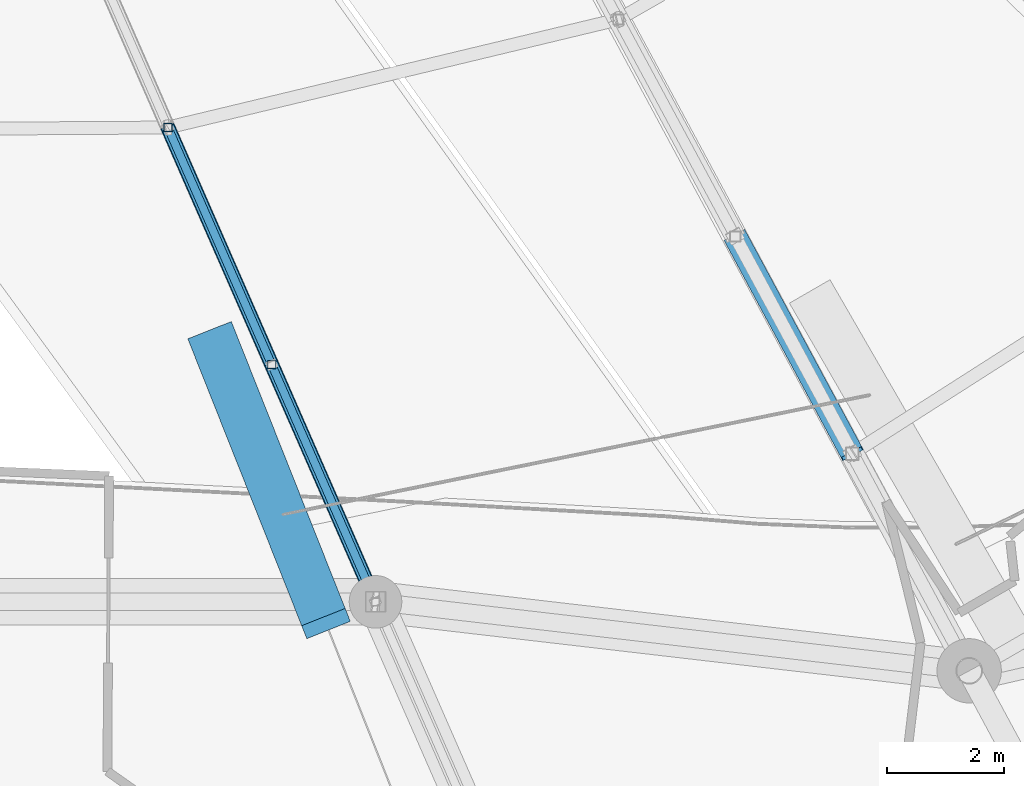
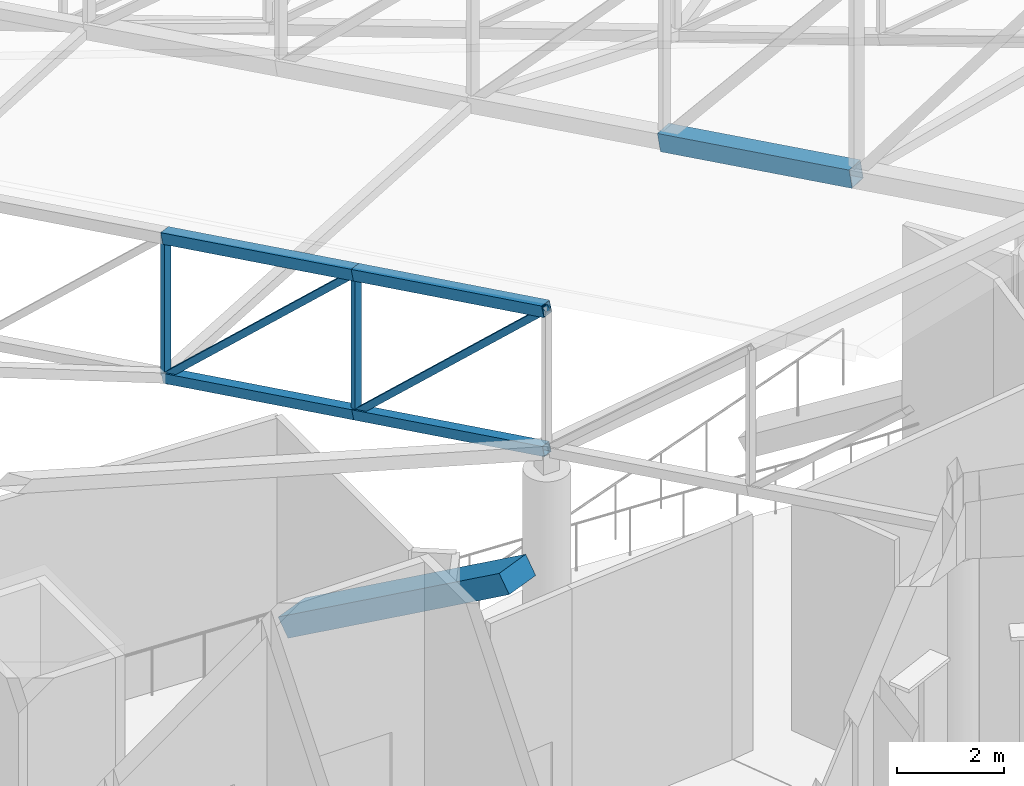
# One storey, part 71 of 344: 9 members, 1 beam.
"""IFC4 building model written with IfcOpenShell, lengths in metres."""

from ifc_helpers import new_model, si_unit, direction, frame, origin, origin_2d, place, context, subcontext, project, spatial, rectangle, hollow_rectangle, extrude, material, material_profile, profile_set, type_object, element, save


model = new_model("IFC4")

# Units and contexts
model_context = context("Model", 3, precision=1e-05, world=origin(), true_north=direction((0.0, 1.0)))
body_context = subcontext(model_context, "Body", "Model", "MODEL_VIEW")
ifc_project = project(units=[si_unit("LENGTHUNIT", "METRE"), si_unit("AREAUNIT", "SQUARE_METRE"), si_unit("VOLUMEUNIT", "CUBIC_METRE"), si_unit("PLANEANGLEUNIT", "RADIAN"), si_unit("MASSUNIT", "GRAM", prefix="KILO")], contexts=[model_context])

# Site, building, storey
site_placement = place(None, origin())
site = spatial("IfcSite", under=ifc_project, at=site_placement, CompositionType="ELEMENT")
building_placement = place(site_placement, origin())
building = spatial("IfcBuilding", under=site, at=building_placement, Name="Meseta Stadium", CompositionType="ELEMENT")
storey_placement = place(building_placement, frame((0.0, 0.0, 24.0)))
storey = spatial("IfcBuildingStorey", under=building, at=storey_placement, Name="L04", CompositionType="ELEMENT", Elevation=24.0)

# Beam
ifc_material_1 = material(Name="Concrete C40/50", Category="concrete")
ifc_material_profile_1 = material_profile(ifc_material_1, rectangle(XDim=0.800048828125, YDim=0.449951171875, at=origin_2d()), Name="RC 800x450")
ifc_profile_set_1 = profile_set([ifc_material_profile_1], Name="Concrete C40/50")
beam_type = type_object("IfcBeamType", Name="RC raker upper rear 800x450", PredefinedType="USERDEFINED", material=ifc_profile_set_1)
beam_placement = place(storey_placement, frame((31.73681640625, -85.376708984375, -1.297607421875), z_axis=(0.312988278729, -0.788750872969, 0.529065589288), x_axis=(0.929493983417, 0.368837274136, 0.0)))
element("IfcBeam", 1, at=beam_placement, inside=storey, type_object=beam_type, Name="Raker upper rear frame 49 upper tier", ObjectType="RAKER", PredefinedType="USERDEFINED", context=body_context, shape_type="SweptSolid", body=[
    extrude(rectangle(XDim=0.800048828125, YDim=0.449951171875, at=origin_2d()), origin(), (0.0, 0.0, 1.0), 6.219970703125),
])

# Members
ifc_material_2 = material(Name="Steel S355", Category="steel")
ifc_material_profile_2 = material_profile(ifc_material_2, hollow_rectangle(XDim=0.139892578125, YDim=0.139892578125, WallThickness=0.0048828125, at=origin_2d()), Name="SHS 140x140x5")
ifc_profile_set_2 = profile_set([ifc_material_profile_2], Name="Steel S355")
member_type_1 = type_object("IfcMemberType", Name="SHS 140x140x5 diagonal", PredefinedType="BRACE", material=ifc_profile_set_2)
for number, where, z_axis, x_axis, name in (
    (2, (30.98046875, -81.80029296875, 2.34033203125), (0.290925757537, -0.664675929612, 0.688162852961), (0.916091508523, 0.400969260683, 0.0), "ROOF TRUSS RT-49 diagonal"),
    (3, (32.755615234375, -85.85595703125, 3.33935546875), (0.290918020478, -0.664698263541, 0.688144551534), (0.916100374083, 0.400949004993, 0.0), "ROOF TRUSS RT-49 diagonal"),
):
    element("IfcMember", number, at=place(storey_placement, frame(where, z_axis=z_axis, x_axis=x_axis)), inside=storey, type_object=member_type_1, Name=name, PredefinedType="BRACE", context=body_context, shape_type="SweptSolid", body=[
        extrude(hollow_rectangle(XDim=0.139892578125, YDim=0.139892578125, WallThickness=0.0048828125, at=origin_2d()), origin(), (0.0, 0.0, 1.0), 6.101806640625),
    ])
ifc_material_3 = material(Name="Steel S355", Category="steel")
ifc_material_profile_3 = material_profile(ifc_material_3, hollow_rectangle(XDim=0.139892578125, YDim=0.139892578125, WallThickness=0.0048828125, at=origin_2d()), Name="SHS 140x140x5")
ifc_profile_set_3 = profile_set([ifc_material_profile_3], Name="Steel S355")
member_type_2 = type_object("IfcMemberType", Name="SHS 140x140x5 post", PredefinedType="POST", material=ifc_profile_set_3)
for number, where, z_axis, x_axis, name in (
    (4, (30.98046875, -81.80029296875, 2.34033203125), (0.0, 0.0, 1.0), (1.0, 0.0, 0.0), "ROOF TRUSS RT-49 post"),
    (5, (32.755615234375, -85.85595703125, 3.33935546875), (0.0, 0.0, 1.0), (1.0, 0.0, 0.0), "ROOF TRUSS RT-49 post"),
):
    element("IfcMember", number, at=place(storey_placement, frame(where, z_axis=z_axis, x_axis=x_axis)), inside=storey, type_object=member_type_2, Name=name, PredefinedType="POST", context=body_context, shape_type="SweptSolid", body=[
        extrude(hollow_rectangle(XDim=0.139892578125, YDim=0.139892578125, WallThickness=0.0048828125, at=origin_2d()), origin(), (0.0, 0.0, 1.0), 3.199951171875),
    ])
ifc_material_4 = material(Name="Steel S355", Category="steel")
ifc_material_profile_4 = material_profile(ifc_material_4, hollow_rectangle(XDim=0.219970703125, YDim=0.219970703125, WallThickness=0.008056640625, at=origin_2d()), Name="SHS 220x220x8")
ifc_profile_set_4 = profile_set([ifc_material_profile_4], Name="Steel S355")
member_type_3 = type_object("IfcMemberType", Name="SHS 220x220x8 bottom chord", PredefinedType="CHORD", material=ifc_profile_set_4)
for number, where, z_axis, x_axis, name in (
    (6, (30.98046875, -81.80029296875, 2.34033203125), (0.391134249123, -0.893621530248, 0.220123964711), (0.916091508523, 0.400969260683, 0.0), "ROOF TRUSS RT-49 bottom chord"),
    (7, (32.755615234375, -85.85595703125, 3.33935546875), (0.391120077987, -0.893642945345, 0.220062197641), (0.916100374083, 0.400949004993, 0.0), "ROOF TRUSS RT-49 bottom chord"),
):
    element("IfcMember", number, at=place(storey_placement, frame(where, z_axis=z_axis, x_axis=x_axis)), inside=storey, type_object=member_type_3, Name=name, PredefinedType="CHORD", context=body_context, shape_type="SweptSolid", body=[
        extrude(hollow_rectangle(XDim=0.219970703125, YDim=0.219970703125, WallThickness=0.008056640625, at=origin_2d()), origin(), (0.0, 0.0, 1.0), 4.53857421875),
    ])
ifc_material_5 = material(Name="Steel S355", Category="steel")
ifc_material_profile_5 = material_profile(ifc_material_5, hollow_rectangle(XDim=0.25, YDim=0.25, WallThickness=0.010009765625, at=origin_2d()), Name="SHS 250x250x10")
ifc_profile_set_5 = profile_set([ifc_material_profile_5], Name="Steel S355")
member_type_4 = type_object("IfcMemberType", Name="SHS 250x250x10 top chord", PredefinedType="CHORD", material=ifc_profile_set_5)
for number, where, z_axis, x_axis, name in (
    (8, (30.98046875, -81.80029296875, 5.540283203125), (0.391134249123, -0.893621530248, 0.220123964711), (0.916091508523, 0.400969260683, 0.0), "ROOF TRUSS RT-49 top chord"),
    (9, (32.755615234375, -85.85595703125, 6.539306640625), (0.391115447605, -0.893632365707, 0.220113383523), (0.916100374083, 0.400949004993, 0.0), "ROOF TRUSS RT-49 top chord"),
):
    element("IfcMember", number, at=place(storey_placement, frame(where, z_axis=z_axis, x_axis=x_axis)), inside=storey, type_object=member_type_4, Name=name, PredefinedType="CHORD", context=body_context, shape_type="SweptSolid", body=[
        extrude(hollow_rectangle(XDim=0.25, YDim=0.25, WallThickness=0.010009765625, at=origin_2d()), origin(), (0.0, 0.0, 1.0), 4.53857421875),
    ])
ifc_material_6 = material(Name="Steel S355", Category="steel")
ifc_material_profile_6 = material_profile(ifc_material_6, hollow_rectangle(XDim=0.39990234375, YDim=0.39990234375, WallThickness=0.01416015625, at=origin_2d()), Name="SHS 400x400x14.2")
ifc_profile_set_6 = profile_set([ifc_material_profile_6], Name="Steel S355")
member_type_5 = type_object("IfcMemberType", Name="SHS 400x400x14.2 bottom chord", PredefinedType="CHORD", material=ifc_profile_set_6)
member_placement = place(storey_placement, frame((40.682373046875, -83.6650390625, 5.512451171875), z_axis=(0.467595285702, -0.868065076289, 0.166786306741), x_axis=(0.880396734491, 0.474237904324, 0.0)))
element("IfcMember", 10, at=member_placement, inside=storey, type_object=member_type_5, Name="ROOF TRUSS RT-50 bottom chord", PredefinedType="CHORD", context=body_context, shape_type="SweptSolid", body=[
    extrude(hollow_rectangle(XDim=0.39990234375, YDim=0.39990234375, WallThickness=0.01416015625, at=origin_2d()), origin(), (0.0, 0.0, 1.0), 4.277099609375),
])

save(model, "model.ifc")
